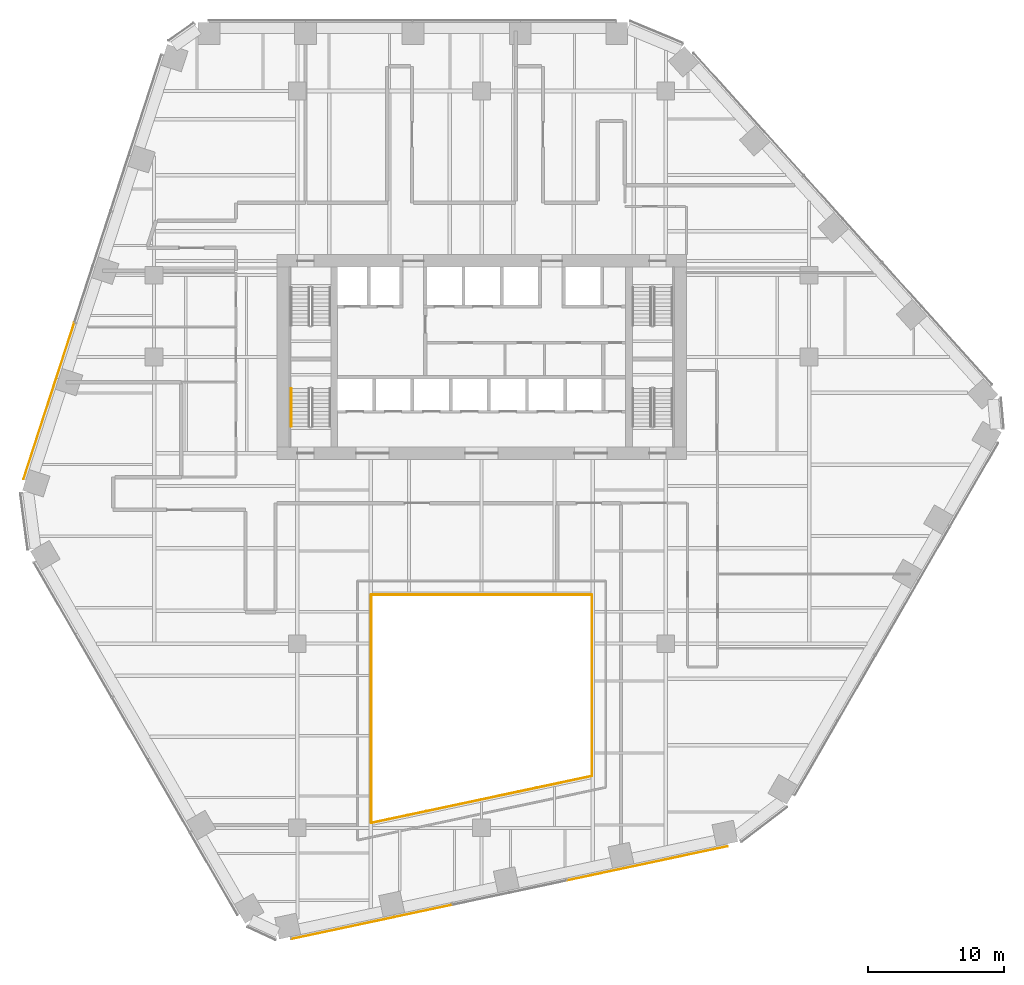
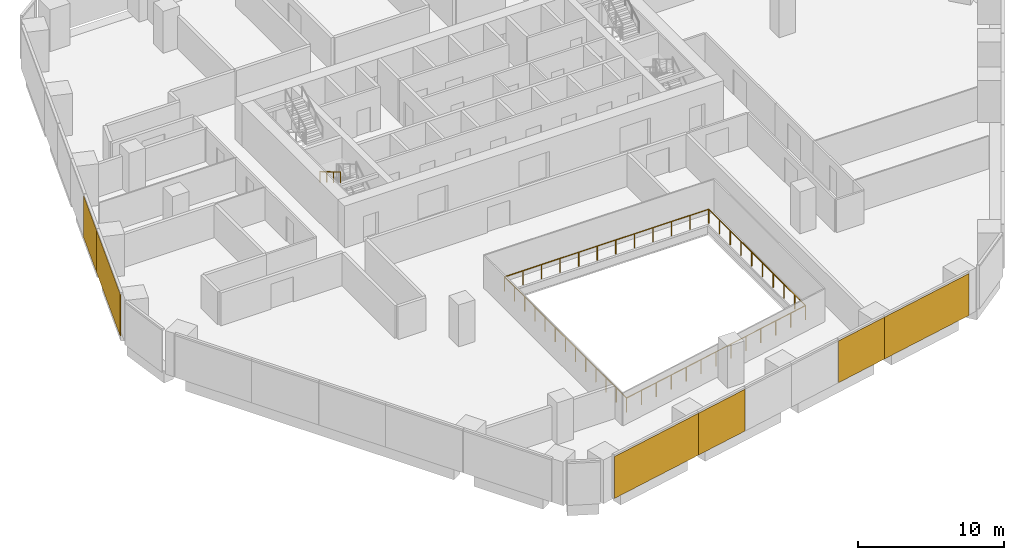
# One storey, part 18 of 21: 6 coverings, 5 railings, 2 elements without a shape of their own.
"""IFC4 building model written with IfcOpenShell, lengths in metres."""

from ifc_helpers import new_model, si_unit, direction, frame, origin, origin_2d, place, context, subcontext, project, spatial, rectangle, circle, extrude, material, layer, layer_set, type_object, element, aggregate, save


model = new_model("IFC4")

# Units and contexts
model_context = context("Model", 3, precision=1e-05, world=origin(), true_north=direction((0.0, 1.0)))
body_context = subcontext(model_context, "Body", "Model", "MODEL_VIEW")
ifc_project = project(units=[si_unit("LENGTHUNIT", "METRE"), si_unit("AREAUNIT", "SQUARE_METRE"), si_unit("VOLUMEUNIT", "CUBIC_METRE"), si_unit("PLANEANGLEUNIT", "RADIAN"), si_unit("MASSUNIT", "GRAM", prefix="KILO")], contexts=[model_context])

# Site, building, storey
site_placement = place(None, origin())
site = spatial("IfcSite", under=ifc_project, at=site_placement, CompositionType="ELEMENT")
building_placement = place(site_placement, origin())
building = spatial("IfcBuilding", under=site, at=building_placement, Name="Isthmus Gate Tower", CompositionType="ELEMENT")
storey_placement = place(building_placement, frame((0.0, 0.0, 106.199951171875)))
storey = spatial("IfcBuildingStorey", under=building, at=storey_placement, Name="L25", CompositionType="ELEMENT", Elevation=106.199951171875)

# Railings
ifc_material_1 = material(Name="Laminated toughened glass balustrade with steel rail", Category="steel")
railing_type_1 = type_object("IfcRailingType", Name="ATRIUM GUARD GLASS BALUSTRADE 1200", PredefinedType="GUARDRAIL", material=ifc_material_1)
railing_1_placement = place(storey_placement, frame((-8.080078125, -26.642822265625, 0.0)))
element("IfcRailing", 1, at=railing_1_placement, inside=storey, type_object=railing_type_1, Name="L25 atrium guard", PredefinedType="GUARDRAIL", context=body_context, shape_type="SweptSolid", body=[
    extrude(circle(Radius=0.02490234375, at=origin_2d()), frame((0.0, 0.0, 1.1748046875), z_axis=(0.0, 1.0, 0.0), x_axis=(-1.0, 0.0, 0.0)), (0.0, 0.0, 1.0), 16.722900390625),
    extrude(circle(Radius=0.02490234375, at=origin_2d()), origin(), (0.0, 0.0, 1.0), 1.14990234375),
    extrude(circle(Radius=0.02490234375, at=origin_2d()), frame((0.0, 1.3935546875, 0.0)), (0.0, 0.0, 1.0), 1.14990234375),
    extrude(circle(Radius=0.02490234375, at=origin_2d()), frame((0.0, 2.787109375, 0.0)), (0.0, 0.0, 1.0), 1.14990234375),
    extrude(circle(Radius=0.02490234375, at=origin_2d()), frame((0.0, 4.1806640625, 0.0)), (0.0, 0.0, 1.0), 1.14990234375),
    extrude(circle(Radius=0.02490234375, at=origin_2d()), frame((0.0, 5.57421875, 0.0)), (0.0, 0.0, 1.0), 1.14990234375),
    extrude(circle(Radius=0.02490234375, at=origin_2d()), frame((0.0, 6.9677734375, 0.0)), (0.0, 0.0, 1.0), 1.14990234375),
    extrude(circle(Radius=0.02490234375, at=origin_2d()), frame((0.0, 8.361328125, 0.0)), (0.0, 0.0, 1.0), 1.14990234375),
    extrude(circle(Radius=0.02490234375, at=origin_2d()), frame((0.0, 9.755126953125, 0.0)), (0.0, 0.0, 1.0), 1.14990234375),
    extrude(circle(Radius=0.02490234375, at=origin_2d()), frame((0.0, 11.148681640625, 0.0)), (0.0, 0.0, 1.0), 1.14990234375),
    extrude(circle(Radius=0.02490234375, at=origin_2d()), frame((0.0, 12.542236328125, 0.0)), (0.0, 0.0, 1.0), 1.14990234375),
    extrude(circle(Radius=0.02490234375, at=origin_2d()), frame((0.0, 13.935791015625, 0.0)), (0.0, 0.0, 1.0), 1.14990234375),
    extrude(circle(Radius=0.02490234375, at=origin_2d()), frame((0.0, 15.329345703125, 0.0)), (0.0, 0.0, 1.0), 1.14990234375),
    extrude(circle(Radius=0.02490234375, at=origin_2d()), frame((0.0, 16.722900390625, 0.0)), (0.0, 0.0, 1.0), 1.14990234375),
])
railing_2_placement = place(storey_placement, frame((-8.080078125, -9.919921875, 0.0)))
element("IfcRailing", 2, at=railing_2_placement, inside=storey, type_object=railing_type_1, Name="L25 atrium guard", PredefinedType="GUARDRAIL", context=body_context, shape_type="SweptSolid", body=[
    extrude(circle(Radius=0.02490234375, at=origin_2d()), frame((0.0, 0.0, 1.1748046875), z_axis=(1.0, 0.0, 0.0), x_axis=(0.0, 1.0, 0.0)), (0.0, 0.0, 1.0), 16.16015625),
    extrude(circle(Radius=0.02490234375, at=origin_2d()), origin(), (0.0, 0.0, 1.0), 1.14990234375),
    extrude(circle(Radius=0.02490234375, at=origin_2d()), frame((1.468994140625, 0.0, 0.0)), (0.0, 0.0, 1.0), 1.14990234375),
    extrude(circle(Radius=0.02490234375, at=origin_2d()), frame((2.938232421875, 0.0, 0.0)), (0.0, 0.0, 1.0), 1.14990234375),
    extrude(circle(Radius=0.02490234375, at=origin_2d()), frame((4.4072265625, 0.0, 0.0)), (0.0, 0.0, 1.0), 1.14990234375),
    extrude(circle(Radius=0.02490234375, at=origin_2d()), frame((5.87646484375, 0.0, 0.0)), (0.0, 0.0, 1.0), 1.14990234375),
    extrude(circle(Radius=0.02490234375, at=origin_2d()), frame((7.345458984375, 0.0, 0.0)), (0.0, 0.0, 1.0), 1.14990234375),
    extrude(circle(Radius=0.02490234375, at=origin_2d()), frame((8.814697265625, 0.0, 0.0)), (0.0, 0.0, 1.0), 1.14990234375),
    extrude(circle(Radius=0.02490234375, at=origin_2d()), frame((10.28369140625, 0.0, 0.0)), (0.0, 0.0, 1.0), 1.14990234375),
    extrude(circle(Radius=0.02490234375, at=origin_2d()), frame((11.7529296875, 0.0, 0.0)), (0.0, 0.0, 1.0), 1.14990234375),
    extrude(circle(Radius=0.02490234375, at=origin_2d()), frame((13.221923828125, 0.0, 0.0)), (0.0, 0.0, 1.0), 1.14990234375),
    extrude(circle(Radius=0.02490234375, at=origin_2d()), frame((14.691162109375, 0.0, 0.0)), (0.0, 0.0, 1.0), 1.14990234375),
    extrude(circle(Radius=0.02490234375, at=origin_2d()), frame((16.16015625, 0.0, 0.0)), (0.0, 0.0, 1.0), 1.14990234375),
])
railing_3_placement = place(storey_placement, frame((8.080078125, -9.919921875, 0.0)))
element("IfcRailing", 3, at=railing_3_placement, inside=storey, type_object=railing_type_1, Name="L25 atrium guard", PredefinedType="GUARDRAIL", context=body_context, shape_type="SweptSolid", body=[
    extrude(circle(Radius=0.02490234375, at=origin_2d()), frame((0.0, 0.0, 1.1748046875), z_axis=(0.0, -1.0, 0.0), x_axis=(1.0, 0.0, 0.0)), (0.0, 0.0, 1.0), 13.2880859375),
    extrude(circle(Radius=0.02490234375, at=origin_2d()), origin(), (0.0, 0.0, 1.0), 1.14990234375),
    extrude(circle(Radius=0.02490234375, at=origin_2d()), frame((0.0, -1.4765625, 0.0)), (0.0, 0.0, 1.0), 1.14990234375),
    extrude(circle(Radius=0.02490234375, at=origin_2d()), frame((0.0, -2.952880859375, 0.0)), (0.0, 0.0, 1.0), 1.14990234375),
    extrude(circle(Radius=0.02490234375, at=origin_2d()), frame((0.0, -4.429443359375, 0.0)), (0.0, 0.0, 1.0), 1.14990234375),
    extrude(circle(Radius=0.02490234375, at=origin_2d()), frame((0.0, -5.90576171875, 0.0)), (0.0, 0.0, 1.0), 1.14990234375),
    extrude(circle(Radius=0.02490234375, at=origin_2d()), frame((0.0, -7.38232421875, 0.0)), (0.0, 0.0, 1.0), 1.14990234375),
    extrude(circle(Radius=0.02490234375, at=origin_2d()), frame((0.0, -8.858642578125, 0.0)), (0.0, 0.0, 1.0), 1.14990234375),
    extrude(circle(Radius=0.02490234375, at=origin_2d()), frame((0.0, -10.335205078125, 0.0)), (0.0, 0.0, 1.0), 1.14990234375),
    extrude(circle(Radius=0.02490234375, at=origin_2d()), frame((0.0, -11.8115234375, 0.0)), (0.0, 0.0, 1.0), 1.14990234375),
    extrude(circle(Radius=0.02490234375, at=origin_2d()), frame((0.0, -13.2880859375, 0.0)), (0.0, 0.0, 1.0), 1.14990234375),
])
railing_4_placement = place(storey_placement, frame((8.080078125, -23.2080078125, 0.0)))
element("IfcRailing", 4, at=railing_4_placement, inside=storey, type_object=railing_type_1, Name="L25 atrium guard", PredefinedType="GUARDRAIL", context=body_context, shape_type="SweptSolid", body=[
    extrude(circle(Radius=0.02490234375, at=origin_2d()), frame((0.0, 0.0, 1.1748046875), z_axis=(-0.978149235358, -0.207904000366, 0.0), x_axis=(0.207904000366, -0.978149235358, 0.0)), (0.0, 0.0, 1.0), 16.521240234375),
    extrude(circle(Radius=0.02490234375, at=origin_2d()), origin(), (0.0, 0.0, 1.0), 1.14990234375),
    extrude(circle(Radius=0.02490234375, at=origin_2d()), frame((-1.3466796875, -0.2861328125, 0.0)), (0.0, 0.0, 1.0), 1.14990234375),
    extrude(circle(Radius=0.02490234375, at=origin_2d()), frame((-2.693359375, -0.572509765625, 0.0)), (0.0, 0.0, 1.0), 1.14990234375),
    extrude(circle(Radius=0.02490234375, at=origin_2d()), frame((-4.0400390625, -0.858642578125, 0.0)), (0.0, 0.0, 1.0), 1.14990234375),
    extrude(circle(Radius=0.02490234375, at=origin_2d()), frame((-5.38671875, -1.14501953125, 0.0)), (0.0, 0.0, 1.0), 1.14990234375),
    extrude(circle(Radius=0.02490234375, at=origin_2d()), frame((-6.7333984375, -1.43115234375, 0.0)), (0.0, 0.0, 1.0), 1.14990234375),
    extrude(circle(Radius=0.02490234375, at=origin_2d()), frame((-8.080078125, -1.71728515625, 0.0)), (0.0, 0.0, 1.0), 1.14990234375),
    extrude(circle(Radius=0.02490234375, at=origin_2d()), frame((-9.4267578125, -2.003662109375, 0.0)), (0.0, 0.0, 1.0), 1.14990234375),
    extrude(circle(Radius=0.02490234375, at=origin_2d()), frame((-10.7734375, -2.289794921875, 0.0)), (0.0, 0.0, 1.0), 1.14990234375),
    extrude(circle(Radius=0.02490234375, at=origin_2d()), frame((-12.1201171875, -2.576171875, 0.0)), (0.0, 0.0, 1.0), 1.14990234375),
    extrude(circle(Radius=0.02490234375, at=origin_2d()), frame((-13.466796875, -2.8623046875, 0.0)), (0.0, 0.0, 1.0), 1.14990234375),
    extrude(circle(Radius=0.02490234375, at=origin_2d()), frame((-14.8134765625, -3.148681640625, 0.0)), (0.0, 0.0, 1.0), 1.14990234375),
    extrude(circle(Radius=0.02490234375, at=origin_2d()), frame((-16.16015625, -3.434814453125, 0.0)), (0.0, 0.0, 1.0), 1.14990234375),
])

# Curtain wall, coverings
ifc_material_2 = material(Name="Aluminium, pale champagne anodised", Category="aluminium")
ifc_layer_1 = layer(ifc_material_2, 0.199951171875)
ifc_layer_set_1 = layer_set([ifc_layer_1], Name="CW-1 UNITISED CURTAIN WALL 200 DEEP")
curtain_wall_type = type_object("IfcCurtainWallType", Name="CW-1 UNITISED CURTAIN WALL 200 DEEP", PredefinedType="NOTDEFINED", material=ifc_layer_set_1)
curtain_wall_1_placement = place(storey_placement, origin())
curtain_wall_1 = element("IfcCurtainWall", 5, at=curtain_wall_1_placement, inside=storey, type_object=curtain_wall_type, Name="CW-1 NW L25", PredefinedType="NOTDEFINED")
ifc_material_3 = material(Name="Aluminium composite panel, pale champagne anodised", Category="aluminium")
ifc_layer_2 = layer(ifc_material_3, 0.0400390625)
ifc_layer_set_2 = layer_set([ifc_layer_2], Name="CW-1 PALE METAL PANEL 40")
covering_type = type_object("IfcCoveringType", Name="CW-1 PALE METAL PANEL 40", PredefinedType="CLADDING", material=ifc_layer_set_2)
covering_1_placement = place(storey_placement, frame((-30.5087890625, 7.9775390625, 0.0), z_axis=(0.0, 0.0, 1.0), x_axis=(-0.309016994375, -0.951056516295, 0.0)))
covering_1 = element("IfcCovering", 6, at=covering_1_placement, type_object=covering_type, Name="CW-1 pale metal panel", PredefinedType="CLADDING", context=body_context, shape_type="SweptSolid", body=[
    extrude(rectangle(XDim=4.234619140625, YDim=0.0400390625, at=origin_2d()), origin(), (0.0, 0.0, 1.0), 3.5),
])
covering_2_placement = place(storey_placement, frame((-32.36669921875, 2.259765625, 0.0), z_axis=(0.0, 0.0, 1.0), x_axis=(-0.309016994375, -0.951056516295, 0.0)))
covering_2 = element("IfcCovering", 7, at=covering_2_placement, type_object=covering_type, Name="CW-1 pale metal panel", PredefinedType="CLADDING", context=body_context, shape_type="SweptSolid", body=[
    extrude(rectangle(XDim=7.789306640625, YDim=0.0400390625, at=origin_2d()), origin(), (0.0, 0.0, 1.0), 3.5),
])
aggregate(curtain_wall_1, [covering_1, covering_2])

curtain_wall_2_placement = place(storey_placement, origin())
curtain_wall_2 = element("IfcCurtainWall", 8, at=curtain_wall_2_placement, inside=storey, type_object=curtain_wall_type, Name="CW-1 S L25", PredefinedType="NOTDEFINED")
covering_3_placement = place(storey_placement, frame((-10.166748046875, -34.344970703125, 0.0), z_axis=(0.0, 0.0, 1.0), x_axis=(0.978147600734, 0.207911690818, 0.0)))
covering_3 = element("IfcCovering", 9, at=covering_3_placement, type_object=covering_type, Name="CW-1 pale metal panel", PredefinedType="CLADDING", context=body_context, shape_type="SweptSolid", body=[
    extrude(rectangle(XDim=7.729248046875, YDim=0.0400390625, at=origin_2d()), origin(), (0.0, 0.0, 1.0), 3.5),
])
covering_4_placement = place(storey_placement, frame((-4.2861328125, -33.094970703125, 0.0), z_axis=(0.0, 0.0, 1.0), x_axis=(0.978147600734, 0.207911690818, 0.0)))
covering_4 = element("IfcCovering", 10, at=covering_4_placement, type_object=covering_type, Name="CW-1 pale metal panel", PredefinedType="CLADDING", context=body_context, shape_type="SweptSolid", body=[
    extrude(rectangle(XDim=4.294677734375, YDim=0.0400390625, at=origin_2d()), origin(), (0.0, 0.0, 1.0), 3.5),
])
covering_5_placement = place(storey_placement, frame((8.345703125, -30.41015625, 0.0), z_axis=(0.0, 0.0, 1.0), x_axis=(0.978147600734, 0.207911690818, 0.0)))
covering_5 = element("IfcCovering", 11, at=covering_5_placement, type_object=covering_type, Name="CW-1 pale metal panel", PredefinedType="CLADDING", context=body_context, shape_type="SweptSolid", body=[
    extrude(rectangle(XDim=4.234619140625, YDim=0.0400390625, at=origin_2d()), origin(), (0.0, 0.0, 1.0), 3.5),
])
covering_6_placement = place(storey_placement, frame((14.226318359375, -29.16015625, 0.0), z_axis=(0.0, 0.0, 1.0), x_axis=(0.978147600734, 0.207911690818, 0.0)))
covering_6 = element("IfcCovering", 12, at=covering_6_placement, type_object=covering_type, Name="CW-1 pale metal panel", PredefinedType="CLADDING", context=body_context, shape_type="SweptSolid", body=[
    extrude(rectangle(XDim=7.789306640625, YDim=0.0400390625, at=origin_2d()), origin(), (0.0, 0.0, 1.0), 3.5),
])
aggregate(curtain_wall_2, [covering_3, covering_4, covering_5, covering_6])

# Railing
ifc_material_4 = material(Name="Stainless steel handrail", Category="steel")
railing_type_2 = type_object("IfcRailingType", Name="STAIR HANDRAIL 900", PredefinedType="HANDRAIL", material=ifc_material_4)
railing_5_placement = place(storey_placement, frame((-13.949951171875, 5.199951171875, 1.990966796875)))
element("IfcRailing", 13, at=railing_5_placement, inside=storey, type_object=railing_type_2, Name="L25 ST7 stair handrail 2", PredefinedType="HANDRAIL", context=body_context, shape_type="SweptSolid", body=[
    extrude(circle(Radius=0.02392578125, at=origin_2d()), frame((0.0, 0.0, 0.8759765625), z_axis=(0.0, -0.860306154799, 0.50977771628), x_axis=(1.0, 0.0, 0.0)), (0.0, 0.0, 1.0), 3.254638671875),
    extrude(circle(Radius=0.02099609375, at=origin_2d()), origin(), (0.0, 0.0, 1.0), 0.851806640625),
    extrude(circle(Radius=0.02099609375, at=origin_2d()), frame((0.0, -0.933349609375, 0.552978515625)), (0.0, 0.0, 1.0), 0.851806640625),
    extrude(circle(Radius=0.02099609375, at=origin_2d()), frame((0.0, -1.86669921875, 1.106201171875)), (0.0, 0.0, 1.0), 0.851806640625),
    extrude(circle(Radius=0.02099609375, at=origin_2d()), frame((0.0, -2.800048828125, 1.6591796875)), (0.0, 0.0, 1.0), 0.851806640625),
])

save(model, "model.ifc")
